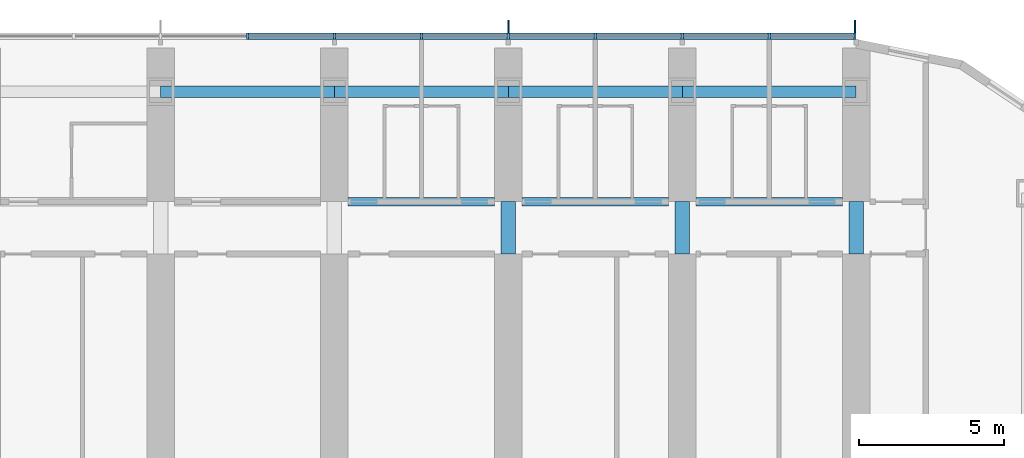
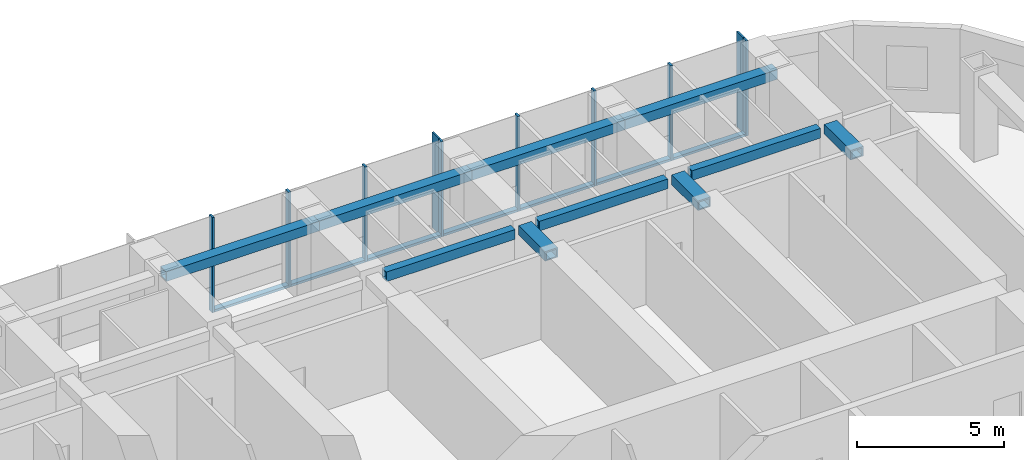
# One storey, part 7 of 26: 17 members, 10 beams, 1 element without a shape of its own.
"""IFC4 building model written with IfcOpenShell, lengths in metres."""

from ifc_helpers import new_model, si_unit, direction, frame, origin, origin_2d, place, context, subcontext, project, spatial, rectangle, hollow_rectangle, extrude, material, material_profile, profile_set, type_object, element, aggregate, save


model = new_model("IFC4")

# Units and contexts
model_context = context("Model", 3, precision=1e-05, world=origin(), true_north=direction((0.0, 1.0)))
body_context = subcontext(model_context, "Body", "Model", "MODEL_VIEW")
ifc_project = project(units=[si_unit("LENGTHUNIT", "METRE"), si_unit("AREAUNIT", "SQUARE_METRE"), si_unit("VOLUMEUNIT", "CUBIC_METRE"), si_unit("PLANEANGLEUNIT", "RADIAN"), si_unit("MASSUNIT", "GRAM", prefix="KILO")], contexts=[model_context])

# Site, building, storey
site_placement = place(None, origin())
site = spatial("IfcSite", under=ifc_project, at=site_placement, CompositionType="ELEMENT")
building_placement = place(site_placement, origin())
building = spatial("IfcBuilding", under=site, at=building_placement, Name="Orbita Commons", CompositionType="ELEMENT")
storey_placement = place(building_placement, frame((0.0, 0.0, 114.39990234375)))
storey = spatial("IfcBuildingStorey", under=building, at=storey_placement, Name="L28", CompositionType="ELEMENT", Elevation=114.39990234375)

# Curtain wall, members
ifc_material_1 = material(Name="Anodised aluminium frame, pale silver", Category="aluminium")
curtain_wall_type = type_object("IfcCurtainWallType", Name="Unitised curtain wall CW-T, vision and spandrel", PredefinedType="NOTDEFINED", material=ifc_material_1)
curtain_wall_placement = place(storey_placement, origin())
curtain_wall = element("IfcCurtainWall", 1, at=curtain_wall_placement, inside=storey, type_object=curtain_wall_type, Name="Curtain wall north L28", PredefinedType="NOTDEFINED")
ifc_material_2 = material(Name="Anodised aluminium, pale silver", Category="aluminium")
ifc_material_profile_1 = material_profile(ifc_material_2, rectangle(XDim=0.080078125, YDim=0.219970703125, at=origin_2d()), Name="AL 80x220")
ifc_profile_set_1 = profile_set([ifc_material_profile_1], Name="Anodised aluminium, pale silver")
member_type_1 = type_object("IfcMemberType", Name="Curtain wall mullion 80x220", PredefinedType="MULLION", material=ifc_profile_set_1)
member_1_placement = place(storey_placement, frame((65.9599609375, 55.510009765625, -0.449951171875), z_axis=(0.0, 0.0, 1.0), x_axis=(-1.0, 0.0, 0.0)))
member_1 = element("IfcMember", 2, at=member_1_placement, type_object=member_type_1, Name="Mullion 1 CW-L28-N", PredefinedType="MULLION", context=body_context, shape_type="SweptSolid", body=[
    extrude(rectangle(XDim=0.080078125, YDim=0.219970703125, at=origin_2d()), origin(), (0.0, 0.0, 1.0), 3.949951171875),
])
member_2_placement = place(storey_placement, frame((63.0, 55.510009765625, -0.449951171875), z_axis=(0.0, 0.0, 1.0), x_axis=(-1.0, 0.0, 0.0)))
member_2 = element("IfcMember", 3, at=member_2_placement, type_object=member_type_1, Name="Mullion 2 CW-L28-N", PredefinedType="MULLION", context=body_context, shape_type="SweptSolid", body=[
    extrude(rectangle(XDim=0.080078125, YDim=0.219970703125, at=origin_2d()), origin(), (0.0, 0.0, 1.0), 3.949951171875),
])
member_3_placement = place(storey_placement, frame((60.0, 55.510009765625, -0.449951171875), z_axis=(0.0, 0.0, 1.0), x_axis=(-1.0, 0.0, 0.0)))
member_3 = element("IfcMember", 4, at=member_3_placement, type_object=member_type_1, Name="Mullion 3 CW-L28-N", PredefinedType="MULLION", context=body_context, shape_type="SweptSolid", body=[
    extrude(rectangle(XDim=0.080078125, YDim=0.219970703125, at=origin_2d()), origin(), (0.0, 0.0, 1.0), 3.949951171875),
])
member_4_placement = place(storey_placement, frame((57.0, 55.510009765625, -0.449951171875), z_axis=(0.0, 0.0, 1.0), x_axis=(-1.0, 0.0, 0.0)))
member_4 = element("IfcMember", 5, at=member_4_placement, type_object=member_type_1, Name="Mullion 4 CW-L28-N", PredefinedType="MULLION", context=body_context, shape_type="SweptSolid", body=[
    extrude(rectangle(XDim=0.080078125, YDim=0.219970703125, at=origin_2d()), origin(), (0.0, 0.0, 1.0), 3.949951171875),
])
member_5_placement = place(storey_placement, frame((54.0, 55.510009765625, -0.449951171875), z_axis=(0.0, 0.0, 1.0), x_axis=(-1.0, 0.0, 0.0)))
member_5 = element("IfcMember", 6, at=member_5_placement, type_object=member_type_1, Name="Mullion 5 CW-L28-N", PredefinedType="MULLION", context=body_context, shape_type="SweptSolid", body=[
    extrude(rectangle(XDim=0.080078125, YDim=0.219970703125, at=origin_2d()), origin(), (0.0, 0.0, 1.0), 3.949951171875),
])
member_6_placement = place(storey_placement, frame((51.0, 55.510009765625, -0.449951171875), z_axis=(0.0, 0.0, 1.0), x_axis=(-1.0, 0.0, 0.0)))
member_6 = element("IfcMember", 7, at=member_6_placement, type_object=member_type_1, Name="Mullion 6 CW-L28-N", PredefinedType="MULLION", context=body_context, shape_type="SweptSolid", body=[
    extrude(rectangle(XDim=0.080078125, YDim=0.219970703125, at=origin_2d()), origin(), (0.0, 0.0, 1.0), 3.949951171875),
])
member_7_placement = place(storey_placement, frame((48.0, 55.510009765625, -0.449951171875), z_axis=(0.0, 0.0, 1.0), x_axis=(-1.0, 0.0, 0.0)))
member_7 = element("IfcMember", 8, at=member_7_placement, type_object=member_type_1, Name="Mullion 7 CW-L28-N", PredefinedType="MULLION", context=body_context, shape_type="SweptSolid", body=[
    extrude(rectangle(XDim=0.080078125, YDim=0.219970703125, at=origin_2d()), origin(), (0.0, 0.0, 1.0), 3.949951171875),
])
member_8_placement = place(storey_placement, frame((45.0, 55.510009765625, -0.449951171875), z_axis=(0.0, 0.0, 1.0), x_axis=(-1.0, 0.0, 0.0)))
member_8 = element("IfcMember", 9, at=member_8_placement, type_object=member_type_1, Name="Mullion 8 CW-L28-N", PredefinedType="MULLION", context=body_context, shape_type="SweptSolid", body=[
    extrude(rectangle(XDim=0.080078125, YDim=0.219970703125, at=origin_2d()), origin(), (0.0, 0.0, 1.0), 3.949951171875),
])
ifc_material_3 = material(Name="Anodised aluminium, pale silver", Category="aluminium")
ifc_material_profile_2 = material_profile(ifc_material_3, rectangle(XDim=0.219970703125, YDim=0.10009765625, at=origin_2d()), Name="AL 220x100")
ifc_profile_set_2 = profile_set([ifc_material_profile_2], Name="Anodised aluminium, pale silver")
member_type_2 = type_object("IfcMemberType", Name="Curtain wall stack transom 220x100", PredefinedType="USERDEFINED", material=ifc_profile_set_2)
member_9_placement = place(storey_placement, frame((65.919921875, 55.510009765625, -0.39990234375), z_axis=(-1.0, 0.0, 0.0), x_axis=(0.0, -1.0, 0.0)))
member_9 = element("IfcMember", 10, at=member_9_placement, type_object=member_type_2, Name="Transom 1.1 CW-L28-N", ObjectType="TRANSOM", PredefinedType="USERDEFINED", context=body_context, shape_type="SweptSolid", body=[
    extrude(rectangle(XDim=0.219970703125, YDim=0.10009765625, at=origin_2d()), origin(), (0.0, 0.0, 1.0), 2.8798828125),
])
member_10_placement = place(storey_placement, frame((62.9599609375, 55.510009765625, -0.39990234375), z_axis=(-1.0, 0.0, 0.0), x_axis=(0.0, -1.0, 0.0)))
member_10 = element("IfcMember", 11, at=member_10_placement, type_object=member_type_2, Name="Transom 2.1 CW-L28-N", ObjectType="TRANSOM", PredefinedType="USERDEFINED", context=body_context, shape_type="SweptSolid", body=[
    extrude(rectangle(XDim=0.219970703125, YDim=0.10009765625, at=origin_2d()), origin(), (0.0, 0.0, 1.0), 2.919921875),
])
member_11_placement = place(storey_placement, frame((59.9599609375, 55.510009765625, -0.39990234375), z_axis=(-1.0, 0.0, 0.0), x_axis=(0.0, -1.0, 0.0)))
member_11 = element("IfcMember", 12, at=member_11_placement, type_object=member_type_2, Name="Transom 3.1 CW-L28-N", ObjectType="TRANSOM", PredefinedType="USERDEFINED", context=body_context, shape_type="SweptSolid", body=[
    extrude(rectangle(XDim=0.219970703125, YDim=0.10009765625, at=origin_2d()), origin(), (0.0, 0.0, 1.0), 2.919921875),
])
member_12_placement = place(storey_placement, frame((56.9599609375, 55.510009765625, -0.39990234375), z_axis=(-1.0, 0.0, 0.0), x_axis=(0.0, -1.0, 0.0)))
member_12 = element("IfcMember", 13, at=member_12_placement, type_object=member_type_2, Name="Transom 4.1 CW-L28-N", ObjectType="TRANSOM", PredefinedType="USERDEFINED", context=body_context, shape_type="SweptSolid", body=[
    extrude(rectangle(XDim=0.219970703125, YDim=0.10009765625, at=origin_2d()), origin(), (0.0, 0.0, 1.0), 2.919921875),
])
member_13_placement = place(storey_placement, frame((53.9599609375, 55.510009765625, -0.39990234375), z_axis=(-1.0, 0.0, 0.0), x_axis=(0.0, -1.0, 0.0)))
member_13 = element("IfcMember", 14, at=member_13_placement, type_object=member_type_2, Name="Transom 5.1 CW-L28-N", ObjectType="TRANSOM", PredefinedType="USERDEFINED", context=body_context, shape_type="SweptSolid", body=[
    extrude(rectangle(XDim=0.219970703125, YDim=0.10009765625, at=origin_2d()), origin(), (0.0, 0.0, 1.0), 2.919921875),
])
member_14_placement = place(storey_placement, frame((50.9599609375, 55.510009765625, -0.39990234375), z_axis=(-1.0, 0.0, 0.0), x_axis=(0.0, -1.0, 0.0)))
member_14 = element("IfcMember", 15, at=member_14_placement, type_object=member_type_2, Name="Transom 6.1 CW-L28-N", ObjectType="TRANSOM", PredefinedType="USERDEFINED", context=body_context, shape_type="SweptSolid", body=[
    extrude(rectangle(XDim=0.219970703125, YDim=0.10009765625, at=origin_2d()), origin(), (0.0, 0.0, 1.0), 2.919921875),
])
member_15_placement = place(storey_placement, frame((47.9599609375, 55.510009765625, -0.39990234375), z_axis=(-1.0, 0.0, 0.0), x_axis=(0.0, -1.0, 0.0)))
member_15 = element("IfcMember", 16, at=member_15_placement, type_object=member_type_2, Name="Transom 7.1 CW-L28-N", ObjectType="TRANSOM", PredefinedType="USERDEFINED", context=body_context, shape_type="SweptSolid", body=[
    extrude(rectangle(XDim=0.219970703125, YDim=0.10009765625, at=origin_2d()), origin(), (0.0, 0.0, 1.0), 2.919921875),
])

# Beams
ifc_material_4 = material(Name="Steel ASTM A572 Gr 50 welded plate", Category="steel")
ifc_material_profile_3 = material_profile(ifc_material_4, hollow_rectangle(XDim=0.300048828125, YDim=0.39990234375, WallThickness=0.0400390625, at=origin_2d()), Name="BOX 400x300x40")
ifc_profile_set_3 = profile_set([ifc_material_profile_3], Name="Steel ASTM A572 Gr 50 welded plate")
beam_type_1 = type_object("IfcBeamType", Name="Steel corridor link BOX 400x300x40", PredefinedType="BEAM", material=ifc_profile_set_3)
for number, where, z_axis, x_axis, name in (
    (17, (48.47509765625, 49.800048828125, 3.300048828125), (1.0, 0.0, 0.0), (0.0, 1.0, 0.0), "Corridor beam NB 9-10 L28"),
    (18, (54.47509765625, 49.800048828125, 3.300048828125), (1.0, 0.0, 0.0), (0.0, 1.0, 0.0), "Corridor beam NB 10-11 L28"),
    (19, (60.47509765625, 49.800048828125, 3.300048828125), (1.0, 0.0, 0.0), (0.0, 1.0, 0.0), "Corridor beam NB 11-12 L28"),
):
    element("IfcBeam", number, at=place(storey_placement, frame(where, z_axis=z_axis, x_axis=x_axis)), inside=storey, type_object=beam_type_1, Name=name, PredefinedType="BEAM", context=body_context, shape_type="SweptSolid", body=[
        extrude(hollow_rectangle(XDim=0.300048828125, YDim=0.39990234375, WallThickness=0.0400390625, at=origin_2d()), origin(), (0.0, 0.0, 1.0), 5.0498046875),
    ])
ifc_material_5 = material(Name="Steel ASTM A572 Gr 50 welded plate", Category="steel")
ifc_material_profile_4 = material_profile(ifc_material_5, hollow_rectangle(XDim=0.5, YDim=0.39990234375, WallThickness=0.050048828125, at=origin_2d()), Name="BOX 400x500x50")
ifc_profile_set_4 = profile_set([ifc_material_profile_4], Name="Steel ASTM A572 Gr 50 welded plate")
beam_type_2 = type_object("IfcBeamType", Name="Steel coupling link BOX 400x500x50", PredefinedType="LINTEL", material=ifc_profile_set_4)
for number, where, z_axis, x_axis, name in (
    (20, (54.0, 48.0, 3.300048828125), (0.0, 1.0, 0.0), (-1.0, 0.0, 0.0), "Coupling beam 10 north L28"),
    (21, (60.0, 48.0, 3.300048828125), (0.0, 1.0, 0.0), (-1.0, 0.0, 0.0), "Coupling beam 11 north L28"),
    (22, (66.0, 48.0, 3.300048828125), (0.0, 1.0, 0.0), (-1.0, 0.0, 0.0), "Coupling beam 12 north L28"),
):
    element("IfcBeam", number, at=place(storey_placement, frame(where, z_axis=z_axis, x_axis=x_axis)), inside=storey, type_object=beam_type_2, Name=name, PredefinedType="LINTEL", context=body_context, shape_type="SweptSolid", body=[
        extrude(hollow_rectangle(XDim=0.5, YDim=0.39990234375, WallThickness=0.050048828125, at=origin_2d()), origin(), (0.0, 0.0, 1.0), 1.800048828125),
    ])
ifc_material_6 = material(Name="Steel ASTM A572 Gr 50 welded plate", Category="steel")
ifc_material_profile_5 = material_profile(ifc_material_6, hollow_rectangle(XDim=0.39990234375, YDim=0.39990234375, WallThickness=0.0400390625, at=origin_2d()), Name="BOX 400x400x40")
ifc_profile_set_5 = profile_set([ifc_material_profile_5], Name="Steel ASTM A572 Gr 50 welded plate")
beam_type_3 = type_object("IfcBeamType", Name="Steel spandrel BOX 400x400x40", PredefinedType="SPANDREL", material=ifc_profile_set_5)
for number, where, z_axis, x_axis, name in (
    (23, (42.0, 53.60009765625, 3.300048828125), (1.0, 0.0, 0.0), (0.0, 1.0, 0.0), "Spandrel beam E 8-9 L28"),
    (24, (48.0, 53.60009765625, 3.300048828125), (1.0, 0.0, 0.0), (0.0, 1.0, 0.0), "Spandrel beam E 9-10 L28"),
    (25, (54.0, 53.60009765625, 3.300048828125), (1.0, 0.0, 0.0), (0.0, 1.0, 0.0), "Spandrel beam E 10-11 L28"),
    (26, (60.0, 53.60009765625, 3.300048828125), (1.0, 0.0, 0.0), (0.0, 1.0, 0.0), "Spandrel beam E 11-12 L28"),
):
    element("IfcBeam", number, at=place(storey_placement, frame(where, z_axis=z_axis, x_axis=x_axis)), inside=storey, type_object=beam_type_3, Name=name, PredefinedType="SPANDREL", context=body_context, shape_type="SweptSolid", body=[
        extrude(hollow_rectangle(XDim=0.39990234375, YDim=0.39990234375, WallThickness=0.0400390625, at=origin_2d()), origin(), (0.0, 0.0, 1.0), 6.0),
    ])

# Member
ifc_material_7 = material(Name="Anodised aluminium, pale silver", Category="aluminium")
ifc_material_profile_6 = material_profile(ifc_material_7, rectangle(XDim=0.06005859375, YDim=0.449951171875, at=origin_2d()), Name="FIN 60x450")
ifc_profile_set_6 = profile_set([ifc_material_profile_6], Name="Anodised aluminium, pale silver")
member_type_3 = type_object("IfcMemberType", Name="Vertical fin 60x450 pale aluminium", PredefinedType="USERDEFINED", material=ifc_profile_set_6)
member_16_placement = place(storey_placement, frame((65.9599609375, 55.844970703125, -0.449951171875), z_axis=(0.0, 0.0, 1.0), x_axis=(-1.0, 0.0, 0.0)))
member_16 = element("IfcMember", 27, at=member_16_placement, type_object=member_type_3, Name="Fin 1 CW-L28-N", ObjectType="FIN", PredefinedType="USERDEFINED", context=body_context, shape_type="SweptSolid", body=[
    extrude(rectangle(XDim=0.06005859375, YDim=0.449951171875, at=origin_2d()), origin(), (0.0, 0.0, 1.0), 3.949951171875),
])

member_17_placement = place(storey_placement, frame((54.0, 55.844970703125, -0.449951171875), z_axis=(0.0, 0.0, 1.0), x_axis=(-1.0, 0.0, 0.0)))
member_17 = element("IfcMember", 28, at=member_17_placement, type_object=member_type_3, Name="Fin 5 CW-L28-N", ObjectType="FIN", PredefinedType="USERDEFINED", context=body_context, shape_type="SweptSolid", body=[
    extrude(rectangle(XDim=0.06005859375, YDim=0.449951171875, at=origin_2d()), origin(), (0.0, 0.0, 1.0), 3.949951171875),
])

aggregate(curtain_wall, [member_1, member_16, member_2, member_3, member_4, member_5, member_17, member_6, member_7, member_8, member_9, member_10, member_11, member_12, member_13, member_14, member_15])

save(model, "model.ifc")
